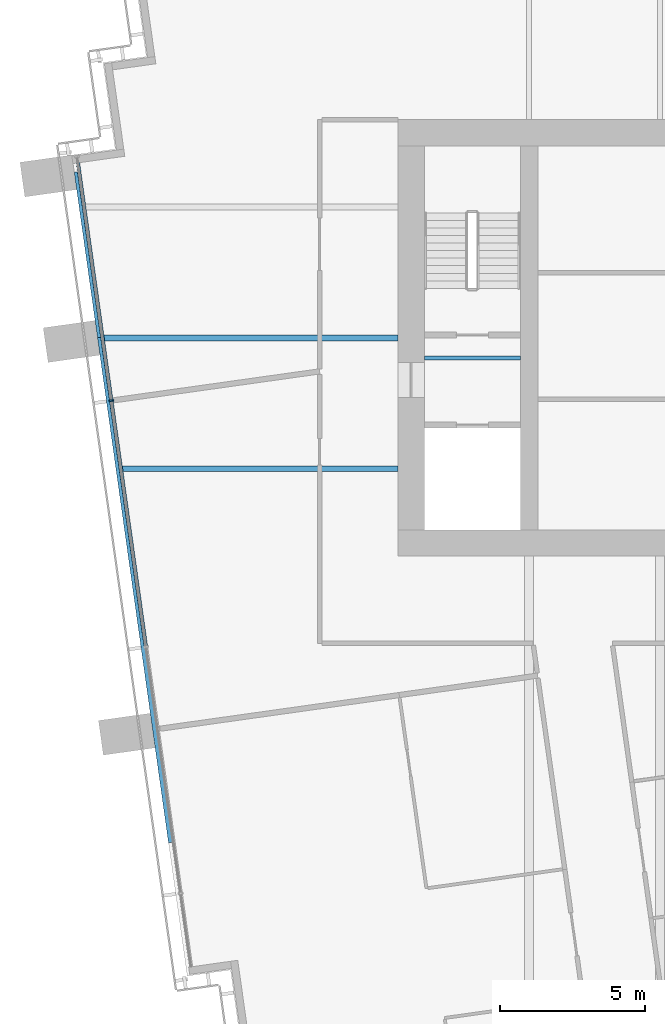
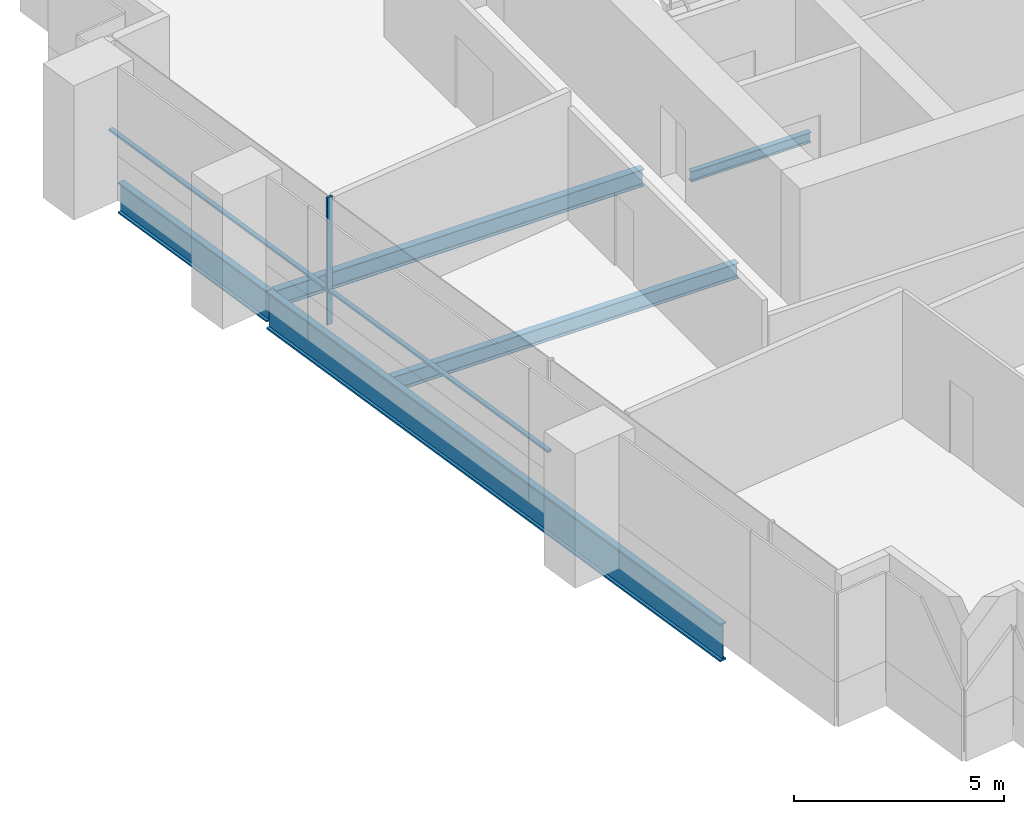
# One storey, part 3 of 18: 5 beams, 3 members, 1 element without a shape of its own.
"""IFC4 building model written with IfcOpenShell, lengths in metres."""

from ifc_helpers import new_model, si_unit, direction, frame, origin, origin_2d, place, context, subcontext, project, spatial, rectangle, i_section, extrude, material, material_profile, profile_set, type_object, element, aggregate, save


model = new_model("IFC4")

# Units and contexts
model_context = context("Model", 3, precision=1e-05, world=origin(), true_north=direction((0.0, 1.0)))
body_context = subcontext(model_context, "Body", "Model", "MODEL_VIEW")
ifc_project = project(units=[si_unit("LENGTHUNIT", "METRE"), si_unit("AREAUNIT", "SQUARE_METRE"), si_unit("VOLUMEUNIT", "CUBIC_METRE"), si_unit("PLANEANGLEUNIT", "RADIAN"), si_unit("MASSUNIT", "GRAM", prefix="KILO")], contexts=[model_context])

# Site, building, storey
site_placement = place(None, origin())
site = spatial("IfcSite", under=ifc_project, at=site_placement, CompositionType="ELEMENT")
building_placement = place(site_placement, origin())
building = spatial("IfcBuilding", under=site, at=building_placement, Name="Rattan Terrace Tower", CompositionType="ELEMENT")
storey_placement = place(building_placement, frame((0.0, 0.0, 188.0)))
storey = spatial("IfcBuildingStorey", under=building, at=storey_placement, Name="L43", CompositionType="ELEMENT", Elevation=188.0)

# Curtain wall, members
ifc_material_1 = material(Name="Aluminium and glass", Category="aluminium")
curtain_wall_type = type_object("IfcCurtainWallType", Name="Facade Unitised Curtain Wall", PredefinedType="NOTDEFINED", material=ifc_material_1)
curtain_wall_placement = place(storey_placement, origin())
curtain_wall = element("IfcCurtainWall", 1, at=curtain_wall_placement, inside=storey, type_object=curtain_wall_type, Name="Curtain wall L43-3", PredefinedType="NOTDEFINED")
ifc_material_2 = material(Name="Aluminium", Category="aluminium")
ifc_material_profile_1 = material_profile(ifc_material_2, rectangle(XDim=0.06005859375, YDim=0.159912109375, at=origin_2d()), Name="Aluminium 60x160")
ifc_profile_set_1 = profile_set([ifc_material_profile_1], Name="Aluminium")
member_type_1 = type_object("IfcMemberType", Name="Facade CW Mullion 60x160", PredefinedType="MULLION", material=ifc_profile_set_1)
member_1_placement = place(storey_placement, frame((-27.857666015625, -2.1591796875, 0.0), z_axis=(0.0, 0.0, 1.0), x_axis=(0.139190856006, -0.99026557327, 0.0)))
member_1 = element("IfcMember", 2, at=member_1_placement, type_object=member_type_1, Name="Mullion cwl-L43-003.2", PredefinedType="MULLION", context=body_context, shape_type="SweptSolid", body=[
    extrude(rectangle(XDim=0.06005859375, YDim=0.159912109375, at=origin_2d()), origin(), (0.0, 0.0, 1.0), 3.699951171875),
])
ifc_material_3 = material(Name="Aluminium", Category="aluminium")
ifc_material_profile_2 = material_profile(ifc_material_3, rectangle(XDim=0.1201171875, YDim=0.06005859375, at=origin_2d()), Name="Aluminium 120x60")
ifc_profile_set_2 = profile_set([ifc_material_profile_2], Name="Aluminium")
member_type_2 = type_object("IfcMemberType", Name="Facade CW Transom 120x60", PredefinedType="USERDEFINED", material=ifc_profile_set_2)
member_2_placement = place(storey_placement, frame((-29.032958984375, 6.20361328125, 1.0), z_axis=(0.139174814558, -0.99026782791, 0.0), x_axis=(0.99026782791, 0.139174814558, 0.0)))
member_2 = element("IfcMember", 3, at=member_2_placement, type_object=member_type_2, Name="Transom cwl-L43-003.1", ObjectType="TRANSOM", PredefinedType="USERDEFINED", context=body_context, shape_type="SweptSolid", body=[
    extrude(rectangle(XDim=0.1201171875, YDim=0.06005859375, at=origin_2d()), origin(), (0.0, 0.0, 1.0), 8.414794921875),
])
member_3_placement = place(storey_placement, frame((-27.853515625, -2.188720703125, 1.0), z_axis=(0.139206806234, -0.990263331189, 0.0), x_axis=(0.990263331189, 0.139206806234, 0.0)))
member_3 = element("IfcMember", 4, at=member_3_placement, type_object=member_type_2, Name="Transom cwl-L43-003.2", ObjectType="TRANSOM", PredefinedType="USERDEFINED", context=body_context, shape_type="SweptSolid", body=[
    extrude(rectangle(XDim=0.1201171875, YDim=0.06005859375, at=origin_2d()), origin(), (0.0, 0.0, 1.0), 8.490234375),
])
aggregate(curtain_wall, [member_1, member_2, member_3])

# Beams
ifc_material_4 = material(Name="Steel S460", Category="steel")
ifc_material_profile_3 = material_profile(ifc_material_4, i_section(OverallWidth=0.179931640625, OverallDepth=1.10009765625, WebThickness=0.01611328125, FlangeThickness=0.050048828125, at=origin_2d()), Name="PG 1100x180-16-50")
ifc_profile_set_3 = profile_set([ifc_material_profile_3], Name="Steel S460")
beam_type_1 = type_object("IfcBeamType", Name="Frame edge girder PG 1100x180-16-50", PredefinedType="SPANDREL", material=ifc_profile_set_3)
beam_1_placement = place(storey_placement, frame((-25.803955078125, -17.347900390625, -0.75), z_axis=(-0.13917502981, 0.990267797657, 0.0), x_axis=(-0.990267797657, -0.13917502981, 0.0)))
element("IfcBeam", 5, at=beam_1_placement, inside=storey, type_object=beam_type_1, Name="gdr-L43-003", PredefinedType="SPANDREL", context=body_context, shape_type="SweptSolid", body=[
    extrude(i_section(OverallWidth=0.179931640625, OverallDepth=1.10009765625, WebThickness=0.01611328125, FlangeThickness=0.050048828125, at=origin_2d()), origin(), (0.0, 0.0, 1.0), 17.531494140625),
])
ifc_material_5 = material(Name="Steel S460", Category="steel")
ifc_material_profile_4 = material_profile(ifc_material_5, i_section(OverallWidth=0.179931640625, OverallDepth=0.89990234375, WebThickness=0.013916015625, FlangeThickness=0.0400390625, at=origin_2d()), Name="PG 900x180-14-40")
ifc_profile_set_4 = profile_set([ifc_material_profile_4], Name="Steel S460")
beam_type_2 = type_object("IfcBeamType", Name="Frame edge girder PG 900x180-14-40", PredefinedType="SPANDREL", material=ifc_profile_set_4)
beam_2_placement = place(storey_placement, frame((-29.0439453125, 5.702880859375, -0.64990234375), z_axis=(0.139237904773, -0.990258958997, 0.0), x_axis=(0.990258958997, 0.139237904773, 0.0)))
element("IfcBeam", 6, at=beam_2_placement, inside=storey, type_object=beam_type_2, Name="gdr-L43-004", PredefinedType="SPANDREL", context=body_context, shape_type="SweptSolid", body=[
    extrude(i_section(OverallWidth=0.179931640625, OverallDepth=0.89990234375, WebThickness=0.013916015625, FlangeThickness=0.0400390625, at=origin_2d()), origin(), (0.0, 0.0, 1.0), 5.745849609375),
])
ifc_material_6 = material(Name="Steel S355", Category="steel")
ifc_material_profile_5 = material_profile(ifc_material_6, i_section(OverallWidth=0.14990234375, OverallDepth=0.300048828125, WebThickness=0.007080078125, FlangeThickness=0.0107421875, FilletRadius=0.014892578125, at=origin_2d()), Name="IPE 300")
ifc_profile_set_5 = profile_set([ifc_material_profile_5], Name="Steel S355")
beam_type_3 = type_object("IfcBeamType", Name="Frame floor beam IPE 300", PredefinedType="JOIST", material=ifc_profile_set_5)
beam_3_placement = place(storey_placement, frame((-17.10009765625, -0.695068359375, -0.35009765625), z_axis=(1.0, 0.0, 0.0), x_axis=(0.0, 1.0, 0.0)))
element("IfcBeam", 7, at=beam_3_placement, inside=storey, type_object=beam_type_3, Name="bm-L43-001", PredefinedType="JOIST", context=body_context, shape_type="SweptSolid", body=[
    extrude(i_section(OverallWidth=0.14990234375, OverallDepth=0.300048828125, WebThickness=0.007080078125, FlangeThickness=0.0107421875, FilletRadius=0.014892578125, at=origin_2d()), origin(), (0.0, 0.0, 1.0), 3.300048828125),
])
ifc_material_7 = material(Name="Steel S355", Category="steel")
ifc_material_profile_6 = material_profile(ifc_material_7, i_section(OverallWidth=0.18994140625, OverallDepth=0.449951171875, WebThickness=0.009521484375, FlangeThickness=0.0146484375, FilletRadius=0.02099609375, at=origin_2d()), Name="IPE 450")
ifc_profile_set_6 = profile_set([ifc_material_profile_6], Name="Steel S355")
beam_type_4 = type_object("IfcBeamType", Name="Frame floor beam IPE 450", PredefinedType="JOIST", material=ifc_profile_set_6)
beam_4_placement = place(storey_placement, frame((-27.5048828125, -4.5, -0.425048828125), z_axis=(1.0, 0.0, 0.0), x_axis=(0.0, 1.0, 0.0)))
element("IfcBeam", 8, at=beam_4_placement, inside=storey, type_object=beam_type_4, Name="bm-L43-010", PredefinedType="JOIST", context=body_context, shape_type="SweptSolid", body=[
    extrude(i_section(OverallWidth=0.18994140625, OverallDepth=0.449951171875, WebThickness=0.009521484375, FlangeThickness=0.0146484375, FilletRadius=0.02099609375, at=origin_2d()), origin(), (0.0, 0.0, 1.0), 9.5048828125),
])
ifc_material_8 = material(Name="Steel S355", Category="steel")
ifc_material_profile_7 = material_profile(ifc_material_8, i_section(OverallWidth=0.199951171875, OverallDepth=0.5, WebThickness=0.01025390625, FlangeThickness=0.01611328125, FilletRadius=0.02099609375, at=origin_2d()), Name="IPE 500")
ifc_profile_set_7 = profile_set([ifc_material_profile_7], Name="Steel S355")
beam_type_5 = type_object("IfcBeamType", Name="Frame floor beam IPE 500", PredefinedType="JOIST", material=ifc_profile_set_7)
beam_5_placement = place(storey_placement, frame((-28.136962890625, 0.0, -0.449951171875), z_axis=(1.0, 0.0, 0.0), x_axis=(0.0, 1.0, 0.0)))
element("IfcBeam", 9, at=beam_5_placement, inside=storey, type_object=beam_type_5, Name="bm-L43-012", PredefinedType="JOIST", context=body_context, shape_type="SweptSolid", body=[
    extrude(i_section(OverallWidth=0.199951171875, OverallDepth=0.5, WebThickness=0.01025390625, FlangeThickness=0.01611328125, FilletRadius=0.02099609375, at=origin_2d()), origin(), (0.0, 0.0, 1.0), 10.136962890625),
])

save(model, "model.ifc")
